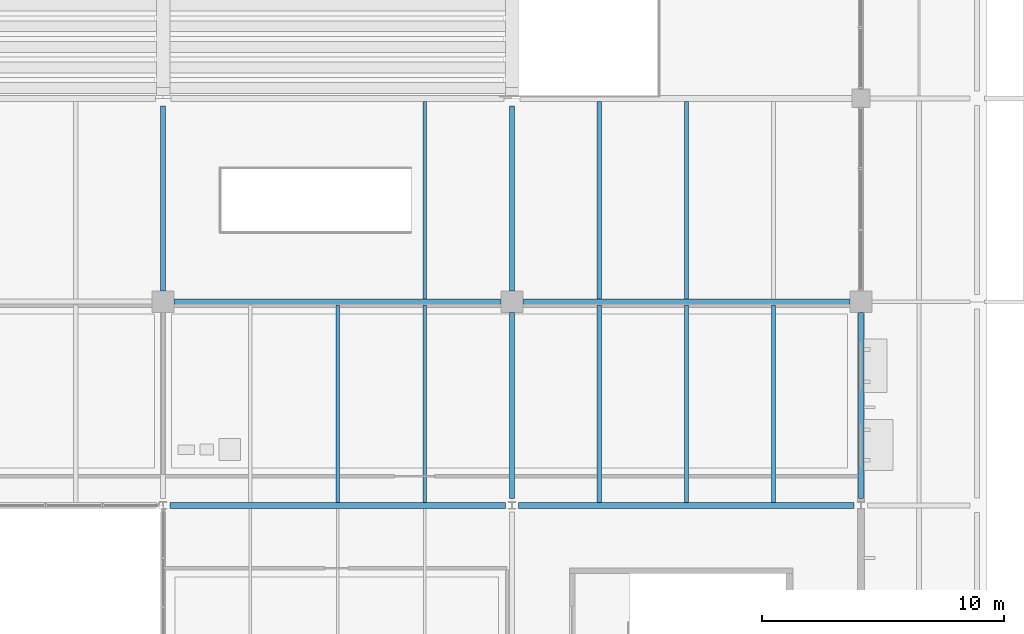
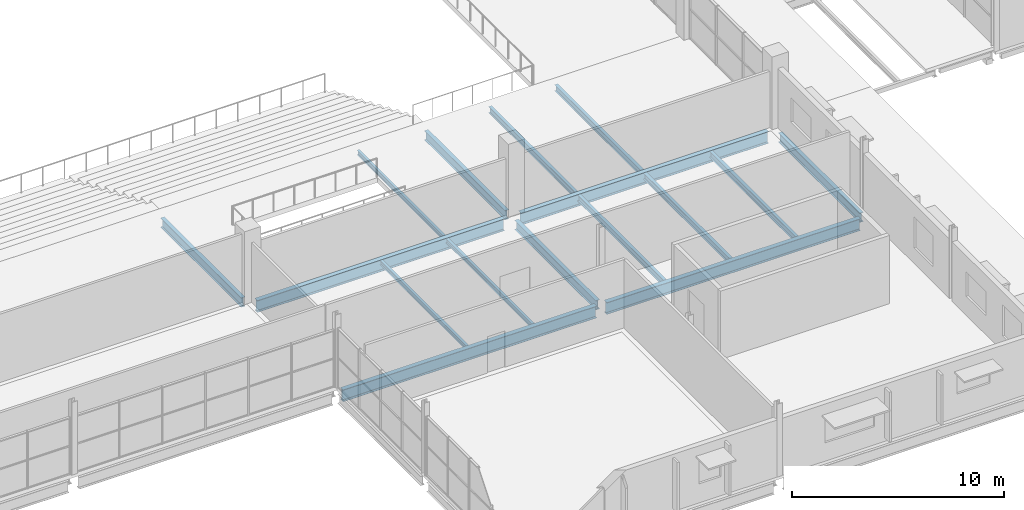
# One storey, part 43 of 161: 16 beams.
"""IFC4 building model written with IfcOpenShell, lengths in metres."""

from ifc_helpers import new_model, si_unit, direction, frame, origin, origin_2d, place, context, subcontext, project, spatial, i_section, extrude, material, material_profile, profile_set, type_object, element, save


model = new_model("IFC4")

# Units and contexts
model_context = context("Model", 3, precision=1e-05, world=origin(), true_north=direction((0.0, 1.0)))
body_context = subcontext(model_context, "Body", "Model", "MODEL_VIEW")
ifc_project = project(units=[si_unit("LENGTHUNIT", "METRE"), si_unit("AREAUNIT", "SQUARE_METRE"), si_unit("VOLUMEUNIT", "CUBIC_METRE"), si_unit("PLANEANGLEUNIT", "RADIAN"), si_unit("MASSUNIT", "GRAM", prefix="KILO"), si_unit("THERMODYNAMICTEMPERATUREUNIT", "KELVIN")], contexts=[model_context])

# Site, building, storey
site_placement = place(None, origin())
site = spatial("IfcSite", under=ifc_project, at=site_placement, CompositionType="ELEMENT")
building_placement = place(site_placement, origin())
building = spatial("IfcBuilding", under=site, at=building_placement, Name="Nduvali Passage Aquatics Centre", CompositionType="ELEMENT")
storey_placement = place(building_placement, frame((0.0, 0.0, 4.800048828125)))
storey = spatial("IfcBuildingStorey", under=building, at=storey_placement, Name="L01", CompositionType="ELEMENT", Elevation=4.800048828125)

# Beams
ifc_material = material(Name="Steel S355", Category="steel")
ifc_material_profile_1 = material_profile(ifc_material, i_section(OverallWidth=0.210693359375, OverallDepth=0.53955078125, WebThickness=0.01171875, FlangeThickness=0.018798828125, FilletRadius=0.0126953125, at=origin_2d()), Name="UKB 533x210x109")
ifc_profile_set_1 = profile_set([ifc_material_profile_1], Name="Steel S355")
beam_type_1 = type_object("IfcBeamType", Name="STR-BM-UKB533", PredefinedType="BEAM", material=ifc_profile_set_1)
beam_1_placement = place(storey_placement, frame((97.199951171875, 25.64990234375, -0.553955078125), z_axis=(0.0, 1.0, 0.0), x_axis=(-1.0, 0.0, 0.0)))
element("IfcBeam", 1, at=beam_1_placement, inside=storey, type_object=beam_type_1, Name="L01 Primary Y-Girder B6-0609", PredefinedType="BEAM", context=body_context, shape_type="SweptSolid", body=[
    extrude(i_section(OverallWidth=0.210693359375, OverallDepth=0.53955078125, WebThickness=0.01171875, FlangeThickness=0.018798828125, FilletRadius=0.0126953125, at=origin_2d()), origin(), (0.0, 0.0, 1.0), 7.625),
])
beam_2_placement = place(storey_placement, frame((111.60009765625, 17.074951171875, -0.553955078125), z_axis=(0.0, 1.0, 0.0), x_axis=(-1.0, 0.0, 0.0)))
element("IfcBeam", 2, at=beam_2_placement, inside=storey, type_object=beam_type_1, Name="L01 Primary Y-Girder B6-0616", PredefinedType="BEAM", context=body_context, shape_type="SweptSolid", body=[
    extrude(i_section(OverallWidth=0.210693359375, OverallDepth=0.53955078125, WebThickness=0.01171875, FlangeThickness=0.018798828125, FilletRadius=0.0126953125, at=origin_2d()), origin(), (0.0, 0.0, 1.0), 7.675048828125),
])
beam_3_placement = place(storey_placement, frame((111.60009765625, 25.64990234375, -0.553955078125), z_axis=(0.0, 1.0, 0.0), x_axis=(-1.0, 0.0, 0.0)))
element("IfcBeam", 3, at=beam_3_placement, inside=storey, type_object=beam_type_1, Name="L01 Primary Y-Girder B6-0617", PredefinedType="BEAM", context=body_context, shape_type="SweptSolid", body=[
    extrude(i_section(OverallWidth=0.210693359375, OverallDepth=0.53955078125, WebThickness=0.01171875, FlangeThickness=0.018798828125, FilletRadius=0.0126953125, at=origin_2d()), origin(), (0.0, 0.0, 1.0), 7.625),
])
ifc_material_profile_2 = material_profile(ifc_material, i_section(OverallWidth=0.210693359375, OverallDepth=0.53955078125, WebThickness=0.01171875, FlangeThickness=0.018798828125, FilletRadius=0.0126953125, at=origin_2d()), Name="UKB 533x210x109")
ifc_profile_set_2 = profile_set([ifc_material_profile_2], Name="Steel S355")
beam_type_2 = type_object("IfcBeamType", Name="STR-BM-UKB533-EXT", PredefinedType="BEAM", material=ifc_profile_set_2)
beam_4_placement = place(storey_placement, frame((126.0, 17.074951171875, -0.553955078125), z_axis=(0.0, 1.0, 0.0), x_axis=(-1.0, 0.0, 0.0)))
element("IfcBeam", 4, at=beam_4_placement, inside=storey, type_object=beam_type_2, Name="L01 Primary Y-Girder B6E-0624", PredefinedType="BEAM", context=body_context, shape_type="SweptSolid", body=[
    extrude(i_section(OverallWidth=0.210693359375, OverallDepth=0.53955078125, WebThickness=0.01171875, FlangeThickness=0.018798828125, FilletRadius=0.0126953125, at=origin_2d()), origin(), (0.0, 0.0, 1.0), 7.675048828125),
])
ifc_material_profile_3 = material_profile(ifc_material, i_section(OverallWidth=0.253662109375, OverallDepth=0.68359375, WebThickness=0.012451171875, FlangeThickness=0.01904296875, FilletRadius=0.01513671875, at=origin_2d()), Name="UKB 686x254x140")
ifc_profile_set_3 = profile_set([ifc_material_profile_3], Name="Steel S355")
beam_type_3 = type_object("IfcBeamType", Name="STR-BM-UKB686", PredefinedType="BEAM", material=ifc_profile_set_3)
beam_5_placement = place(storey_placement, frame((97.47509765625, 16.800048828125, -0.625732421875), z_axis=(1.0, 0.0, 0.0), x_axis=(0.0, 1.0, 0.0)))
element("IfcBeam", 5, at=beam_5_placement, inside=storey, type_object=beam_type_3, Name="L01 Primary X-Girder B4-0440", PredefinedType="BEAM", context=body_context, shape_type="SweptSolid", body=[
    extrude(i_section(OverallWidth=0.253662109375, OverallDepth=0.68359375, WebThickness=0.012451171875, FlangeThickness=0.01904296875, FilletRadius=0.01513671875, at=origin_2d()), origin(), (0.0, 0.0, 1.0), 13.849853515625),
])
beam_6_placement = place(storey_placement, frame((111.875, 16.800048828125, -0.625732421875), z_axis=(1.0, 0.0, 0.0), x_axis=(0.0, 1.0, 0.0)))
element("IfcBeam", 6, at=beam_6_placement, inside=storey, type_object=beam_type_3, Name="L01 Primary X-Girder B4-0441", PredefinedType="BEAM", context=body_context, shape_type="SweptSolid", body=[
    extrude(i_section(OverallWidth=0.253662109375, OverallDepth=0.68359375, WebThickness=0.012451171875, FlangeThickness=0.01904296875, FilletRadius=0.01513671875, at=origin_2d()), origin(), (0.0, 0.0, 1.0), 13.85009765625),
])
ifc_material_profile_4 = material_profile(ifc_material, i_section(OverallWidth=0.253662109375, OverallDepth=0.68359375, WebThickness=0.012451171875, FlangeThickness=0.01904296875, FilletRadius=0.01513671875, at=origin_2d()), Name="UKB 686x254x140")
ifc_profile_set_4 = profile_set([ifc_material_profile_4], Name="Steel S355")
beam_type_4 = type_object("IfcBeamType", Name="STR-BM-UKB686-EXT", PredefinedType="BEAM", material=ifc_profile_set_4)
for number, where, z_axis, x_axis, name in (
    (7, (97.64990234375, 25.199951171875, -0.625732421875), (1.0, 0.0, 0.0), (0.0, 1.0, 0.0), "L01 Primary X-Girder B4E-0448"),
    (8, (112.050048828125, 25.199951171875, -0.625732421875), (1.0, 0.0, 0.0), (0.0, 1.0, 0.0), "L01 Primary X-Girder B4E-0449"),
):
    element("IfcBeam", number, at=place(storey_placement, frame(where, z_axis=z_axis, x_axis=x_axis)), inside=storey, type_object=beam_type_4, Name=name, PredefinedType="BEAM", context=body_context, shape_type="SweptSolid", body=[
        extrude(i_section(OverallWidth=0.253662109375, OverallDepth=0.68359375, WebThickness=0.012451171875, FlangeThickness=0.01904296875, FilletRadius=0.01513671875, at=origin_2d()), origin(), (0.0, 0.0, 1.0), 13.5),
    ])
ifc_material_profile_5 = material_profile(ifc_material, i_section(OverallWidth=0.135009765625, OverallDepth=0.27001953125, WebThickness=0.006591796875, FlangeThickness=0.01025390625, FilletRadius=0.014892578125, at=origin_2d()), Name="IPE 270")
ifc_profile_set_5 = profile_set([ifc_material_profile_5], Name="Steel S355")
beam_type_5 = type_object("IfcBeamType", Name="STR-JST-IPE270", PredefinedType="JOIST", material=ifc_profile_set_5)
beam_7_placement = place(storey_placement, frame((108.0, 25.326904296875, -0.4189453125), z_axis=(0.0, 1.0, 0.0), x_axis=(-1.0, 0.0, 0.0)))
element("IfcBeam", 9, at=beam_7_placement, inside=storey, type_object=beam_type_5, Name="L01 Secondary Joist J8-0737", PredefinedType="JOIST", context=body_context, shape_type="SweptSolid", body=[
    extrude(i_section(OverallWidth=0.135009765625, OverallDepth=0.27001953125, WebThickness=0.006591796875, FlangeThickness=0.01025390625, FilletRadius=0.014892578125, at=origin_2d()), origin(), (0.0, 0.0, 1.0), 8.146240234375),
])
ifc_material_profile_6 = material_profile(ifc_material, i_section(OverallWidth=0.169921875, OverallDepth=0.360107421875, WebThickness=0.008056640625, FlangeThickness=0.0126953125, FilletRadius=0.01806640625, at=origin_2d()), Name="IPE 360")
ifc_profile_set_6 = profile_set([ifc_material_profile_6], Name="Steel S355")
beam_type_6 = type_object("IfcBeamType", Name="STR-JST-IPE360", PredefinedType="JOIST", material=ifc_profile_set_6)
for number, where, z_axis, x_axis, name in (
    (10, (115.199951171875, 25.326904296875, -0.464111328125), (0.0, 1.0, 0.0), (-1.0, 0.0, 0.0), "L01 Secondary Joist J6-0738"),
    (11, (118.800048828125, 25.326904296875, -0.464111328125), (0.0, 1.0, 0.0), (-1.0, 0.0, 0.0), "L01 Secondary Joist J6-0739"),
):
    element("IfcBeam", number, at=place(storey_placement, frame(where, z_axis=z_axis, x_axis=x_axis)), inside=storey, type_object=beam_type_6, Name=name, PredefinedType="JOIST", context=body_context, shape_type="SweptSolid", body=[
        extrude(i_section(OverallWidth=0.169921875, OverallDepth=0.360107421875, WebThickness=0.008056640625, FlangeThickness=0.0126953125, FilletRadius=0.01806640625, at=origin_2d()), origin(), (0.0, 0.0, 1.0), 8.146240234375),
    ])
ifc_material_profile_7 = material_profile(ifc_material, i_section(OverallWidth=0.146484375, OverallDepth=0.256103515625, WebThickness=0.00634765625, FlangeThickness=0.010986328125, FilletRadius=0.007568359375, at=origin_2d()), Name="UKB 254x146x37")
ifc_profile_set_7 = profile_set([ifc_material_profile_7], Name="Steel S355")
beam_type_7 = type_object("IfcBeamType", Name="STR-JST-UKB254", PredefinedType="JOIST", material=ifc_profile_set_7)
for number, where, z_axis, x_axis, name in (
    (12, (104.39990234375, 16.9267578125, -0.412109375), (0.0, 1.0, 0.0), (-1.0, 0.0, 0.0), "L01 Secondary Joist J4-0723"),
    (13, (108.0, 16.9267578125, -0.412109375), (0.0, 1.0, 0.0), (-1.0, 0.0, 0.0), "L01 Secondary Joist J4-0724"),
):
    element("IfcBeam", number, at=place(storey_placement, frame(where, z_axis=z_axis, x_axis=x_axis)), inside=storey, type_object=beam_type_7, Name=name, PredefinedType="JOIST", context=body_context, shape_type="SweptSolid", body=[
        extrude(i_section(OverallWidth=0.146484375, OverallDepth=0.256103515625, WebThickness=0.00634765625, FlangeThickness=0.010986328125, FilletRadius=0.007568359375, at=origin_2d()), origin(), (0.0, 0.0, 1.0), 8.146484375),
    ])
ifc_material_profile_8 = material_profile(ifc_material, i_section(OverallWidth=0.172119140625, OverallDepth=0.35791015625, WebThickness=0.008056640625, FlangeThickness=0.012939453125, FilletRadius=0.01025390625, at=origin_2d()), Name="UKB 356x171x57")
ifc_profile_set_8 = profile_set([ifc_material_profile_8], Name="Steel S355")
beam_type_8 = type_object("IfcBeamType", Name="STR-JST-UKB356", PredefinedType="JOIST", material=ifc_profile_set_8)
for number, where, z_axis, x_axis, name in (
    (14, (115.199951171875, 16.9267578125, -0.463134765625), (0.0, 1.0, 0.0), (-1.0, 0.0, 0.0), "L01 Secondary Joist J2-0725"),
    (15, (118.800048828125, 16.9267578125, -0.463134765625), (0.0, 1.0, 0.0), (-1.0, 0.0, 0.0), "L01 Secondary Joist J2-0726"),
    (16, (122.39990234375, 16.9267578125, -0.463134765625), (0.0, 1.0, 0.0), (-1.0, 0.0, 0.0), "L01 Secondary Joist J2-0727"),
):
    element("IfcBeam", number, at=place(storey_placement, frame(where, z_axis=z_axis, x_axis=x_axis)), inside=storey, type_object=beam_type_8, Name=name, PredefinedType="JOIST", context=body_context, shape_type="SweptSolid", body=[
        extrude(i_section(OverallWidth=0.172119140625, OverallDepth=0.35791015625, WebThickness=0.008056640625, FlangeThickness=0.012939453125, FilletRadius=0.01025390625, at=origin_2d()), origin(), (0.0, 0.0, 1.0), 8.146484375),
    ])

save(model, "model.ifc")
